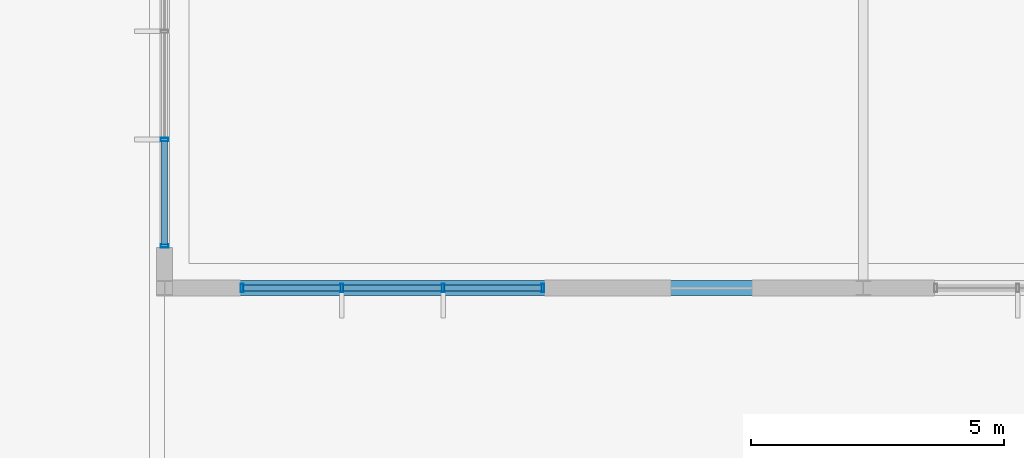
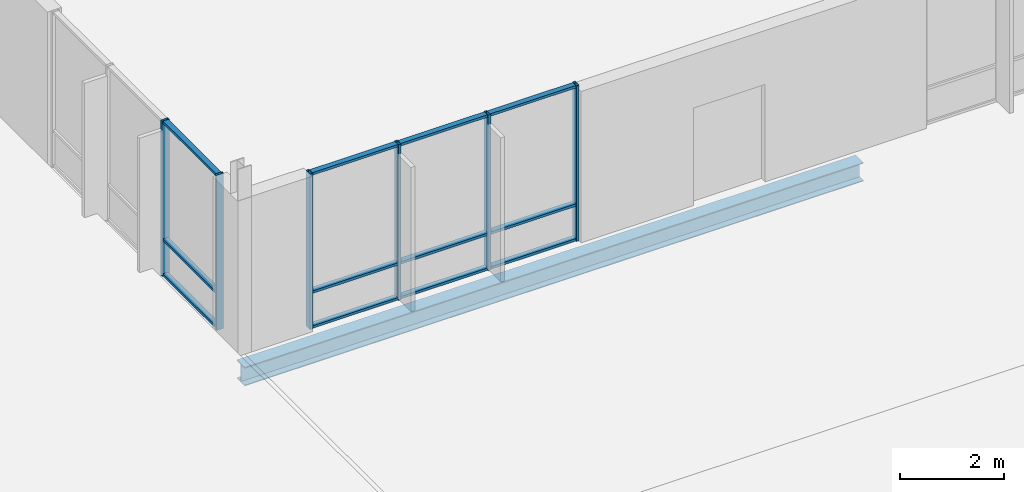
# One storey, part 149 of 233: 18 members, 1 beam, 2 elements without a shape of their own.
"""IFC4 building model written with IfcOpenShell, lengths in metres."""

from ifc_helpers import new_model, si_unit, direction, frame, origin, origin_2d, place, context, subcontext, project, spatial, hollow_rectangle, i_section, extrude, material, material_profile, profile_set, type_object, element, aggregate, save


model = new_model("IFC4")

# Units and contexts
model_context = context("Model", 3, precision=1e-05, world=origin(), true_north=direction((0.0, 1.0)))
body_context = subcontext(model_context, "Body", "Model", "MODEL_VIEW")
ifc_project = project(units=[si_unit("LENGTHUNIT", "METRE"), si_unit("AREAUNIT", "SQUARE_METRE"), si_unit("VOLUMEUNIT", "CUBIC_METRE"), si_unit("PLANEANGLEUNIT", "RADIAN"), si_unit("MASSUNIT", "GRAM", prefix="KILO")], contexts=[model_context])

# Site, building, storey
site_placement = place(None, origin())
site = spatial("IfcSite", under=ifc_project, at=site_placement, CompositionType="ELEMENT")
building_placement = place(site_placement, origin())
building = spatial("IfcBuilding", under=site, at=building_placement, Name="Zavelmont Quarter", CompositionType="ELEMENT")
storey_placement = place(building_placement, origin())
storey = spatial("IfcBuildingStorey", under=building, at=storey_placement, Name="L00", CompositionType="ELEMENT", Elevation=0.0)

# Beam
ifc_material_1 = material(Name="Steel S355", Category="steel")
ifc_material_profile_1 = material_profile(ifc_material_1, i_section(OverallWidth=0.300048828125, OverallDepth=0.43994140625, WebThickness=0.011474609375, FlangeThickness=0.02099609375, at=origin_2d()), Name="HEA 450")
ifc_profile_set_1 = profile_set([ifc_material_profile_1], Name="Steel S355")
beam_type = type_object("IfcBeamType", Name="BM10", PredefinedType="BEAM", material=ifc_profile_set_1)
beam_placement = place(storey_placement, frame((133.5, 38.0, -0.5400390625), z_axis=(1.0, 0.0, 0.0), x_axis=(0.0, 1.0, 0.0)))
element("IfcBeam", 1, at=beam_placement, inside=storey, type_object=beam_type, Name="L00 beam BM10 20/G to 22/G", PredefinedType="BEAM", context=body_context, shape_type="SweptSolid", body=[
    extrude(i_section(OverallWidth=0.300048828125, OverallDepth=0.43994140625, WebThickness=0.011474609375, FlangeThickness=0.02099609375, at=origin_2d()), origin(), (0.0, 0.0, 1.0), 13.800048828125),
])

# Curtain wall, members
ifc_material_2 = material(Name="Thermally broken aluminium and double low-E safety glazing", Category="aluminium")
curtain_wall_type_1 = type_object("IfcCurtainWallType", Name="CW-640X366", PredefinedType="NOTDEFINED", material=ifc_material_2)
curtain_wall_1_placement = place(storey_placement, origin())
curtain_wall_1 = element("IfcCurtainWall", 2, at=curtain_wall_1_placement, inside=storey, type_object=curtain_wall_type_1, Name="L00 unitised curtain wall CW-640X366", PredefinedType="NOTDEFINED")
ifc_material_3 = material(Name="Powder-coated aluminium EN AW-6063-T6", Category="aluminium")
ifc_material_profile_2 = material_profile(ifc_material_3, hollow_rectangle(XDim=0.06005859375, YDim=0.159912109375, WallThickness=0.00390625, at=origin_2d()), Name="CWM60X160")
ifc_profile_set_2 = profile_set([ifc_material_profile_2], Name="Powder-coated aluminium EN AW-6063-T6")
member_type_1 = type_object("IfcMemberType", Name="CWM01", PredefinedType="MULLION", material=ifc_profile_set_2)
member_1_placement = place(storey_placement, frame((133.5, 38.830078125, 0.0), z_axis=(0.0, 0.0, 1.0), x_axis=(0.0, 1.0, 0.0)))
member_1 = element("IfcMember", 3, at=member_1_placement, type_object=member_type_1, Name="CW-640X366 mullion 1", PredefinedType="MULLION", context=body_context, shape_type="SweptSolid", body=[
    extrude(hollow_rectangle(XDim=0.06005859375, YDim=0.159912109375, WallThickness=0.00390625, at=origin_2d()), origin(), (0.0, 0.0, 1.0), 3.659912109375),
])
member_2_placement = place(storey_placement, frame((133.5, 40.933349609375, 0.0), z_axis=(0.0, 0.0, 1.0), x_axis=(0.0, 1.0, 0.0)))
member_2 = element("IfcMember", 4, at=member_2_placement, type_object=member_type_1, Name="CW-640X366 mullion 2", PredefinedType="MULLION", context=body_context, shape_type="SweptSolid", body=[
    extrude(hollow_rectangle(XDim=0.06005859375, YDim=0.159912109375, WallThickness=0.00390625, at=origin_2d()), origin(), (0.0, 0.0, 1.0), 3.659912109375),
])

curtain_wall_type_2 = type_object("IfcCurtainWallType", Name="CW-600X367", PredefinedType="NOTDEFINED", material=ifc_material_2)
curtain_wall_2_placement = place(storey_placement, origin())
curtain_wall_2 = element("IfcCurtainWall", 5, at=curtain_wall_2_placement, inside=storey, type_object=curtain_wall_type_2, Name="L00 unitised curtain wall CW-600X367", PredefinedType="NOTDEFINED")
member_3_placement = place(storey_placement, frame((135.030029296875, 38.0, 0.0), z_axis=(0.0, 0.0, 1.0), x_axis=(1.0, 0.0, 0.0)))
member_3 = element("IfcMember", 6, at=member_3_placement, type_object=member_type_1, Name="CW-600X367 mullion 1", PredefinedType="MULLION", context=body_context, shape_type="SweptSolid", body=[
    extrude(hollow_rectangle(XDim=0.06005859375, YDim=0.159912109375, WallThickness=0.00390625, at=origin_2d()), origin(), (0.0, 0.0, 1.0), 3.669921875),
])
member_4_placement = place(storey_placement, frame((137.0, 38.0, 0.0), z_axis=(0.0, 0.0, 1.0), x_axis=(1.0, 0.0, 0.0)))
member_4 = element("IfcMember", 7, at=member_4_placement, type_object=member_type_1, Name="CW-600X367 mullion 2", PredefinedType="MULLION", context=body_context, shape_type="SweptSolid", body=[
    extrude(hollow_rectangle(XDim=0.06005859375, YDim=0.159912109375, WallThickness=0.00390625, at=origin_2d()), origin(), (0.0, 0.0, 1.0), 3.669921875),
])
member_5_placement = place(storey_placement, frame((139.0, 38.0, 0.0), z_axis=(0.0, 0.0, 1.0), x_axis=(1.0, 0.0, 0.0)))
member_5 = element("IfcMember", 8, at=member_5_placement, type_object=member_type_1, Name="CW-600X367 mullion 3", PredefinedType="MULLION", context=body_context, shape_type="SweptSolid", body=[
    extrude(hollow_rectangle(XDim=0.06005859375, YDim=0.159912109375, WallThickness=0.00390625, at=origin_2d()), origin(), (0.0, 0.0, 1.0), 3.669921875),
])
member_6_placement = place(storey_placement, frame((140.969970703125, 38.0, 0.0), z_axis=(0.0, 0.0, 1.0), x_axis=(1.0, 0.0, 0.0)))
member_6 = element("IfcMember", 9, at=member_6_placement, type_object=member_type_1, Name="CW-600X367 mullion 4", PredefinedType="MULLION", context=body_context, shape_type="SweptSolid", body=[
    extrude(hollow_rectangle(XDim=0.06005859375, YDim=0.159912109375, WallThickness=0.00390625, at=origin_2d()), origin(), (0.0, 0.0, 1.0), 3.669921875),
])

# Member
ifc_material_profile_3 = material_profile(ifc_material_3, hollow_rectangle(XDim=0.1201171875, YDim=0.06005859375, WallThickness=0.00390625, at=origin_2d()), Name="CWT60X120")
ifc_profile_set_3 = profile_set([ifc_material_profile_3], Name="Powder-coated aluminium EN AW-6063-T6")
member_type_2 = type_object("IfcMemberType", Name="CWT01", PredefinedType="NOTDEFINED", material=ifc_profile_set_3)
member_7_placement = place(storey_placement, frame((133.5, 38.860107421875, 0.030029296875), z_axis=(0.0, 1.0, 0.0), x_axis=(-1.0, 0.0, 0.0)))
member_7 = element("IfcMember", 10, at=member_7_placement, type_object=member_type_2, Name="CW-640X366 transom 1.1", ObjectType="TRANSOM", PredefinedType="USERDEFINED", context=body_context, shape_type="SweptSolid", body=[
    extrude(hollow_rectangle(XDim=0.1201171875, YDim=0.06005859375, WallThickness=0.00390625, at=origin_2d()), origin(), (0.0, 0.0, 1.0), 2.043212890625),
])

member_8_placement = place(storey_placement, frame((133.5, 38.860107421875, 0.85009765625), z_axis=(0.0, 1.0, 0.0), x_axis=(-1.0, 0.0, 0.0)))
member_8 = element("IfcMember", 11, at=member_8_placement, type_object=member_type_2, Name="CW-640X366 transom 1.2", ObjectType="TRANSOM", PredefinedType="USERDEFINED", context=body_context, shape_type="SweptSolid", body=[
    extrude(hollow_rectangle(XDim=0.1201171875, YDim=0.06005859375, WallThickness=0.00390625, at=origin_2d()), origin(), (0.0, 0.0, 1.0), 2.043212890625),
])

member_9_placement = place(storey_placement, frame((133.5, 38.860107421875, 3.6298828125), z_axis=(0.0, 1.0, 0.0), x_axis=(-1.0, 0.0, 0.0)))
member_9 = element("IfcMember", 12, at=member_9_placement, type_object=member_type_2, Name="CW-640X366 transom 1.3", ObjectType="TRANSOM", PredefinedType="USERDEFINED", context=body_context, shape_type="SweptSolid", body=[
    extrude(hollow_rectangle(XDim=0.1201171875, YDim=0.06005859375, WallThickness=0.00390625, at=origin_2d()), origin(), (0.0, 0.0, 1.0), 2.043212890625),
])

aggregate(curtain_wall_1, [member_1, member_2, member_7, member_8, member_9])

member_10_placement = place(storey_placement, frame((135.06005859375, 38.0, 0.030029296875), z_axis=(1.0, 0.0, 0.0), x_axis=(0.0, 1.0, 0.0)))
member_10 = element("IfcMember", 13, at=member_10_placement, type_object=member_type_2, Name="CW-600X367 transom 1.1", ObjectType="TRANSOM", PredefinedType="USERDEFINED", context=body_context, shape_type="SweptSolid", body=[
    extrude(hollow_rectangle(XDim=0.1201171875, YDim=0.06005859375, WallThickness=0.00390625, at=origin_2d()), origin(), (0.0, 0.0, 1.0), 1.909912109375),
])

member_11_placement = place(storey_placement, frame((135.06005859375, 38.0, 0.85009765625), z_axis=(1.0, 0.0, 0.0), x_axis=(0.0, 1.0, 0.0)))
member_11 = element("IfcMember", 14, at=member_11_placement, type_object=member_type_2, Name="CW-600X367 transom 1.2", ObjectType="TRANSOM", PredefinedType="USERDEFINED", context=body_context, shape_type="SweptSolid", body=[
    extrude(hollow_rectangle(XDim=0.1201171875, YDim=0.06005859375, WallThickness=0.00390625, at=origin_2d()), origin(), (0.0, 0.0, 1.0), 1.909912109375),
])

member_12_placement = place(storey_placement, frame((135.06005859375, 38.0, 3.639892578125), z_axis=(1.0, 0.0, 0.0), x_axis=(0.0, 1.0, 0.0)))
member_12 = element("IfcMember", 15, at=member_12_placement, type_object=member_type_2, Name="CW-600X367 transom 1.3", ObjectType="TRANSOM", PredefinedType="USERDEFINED", context=body_context, shape_type="SweptSolid", body=[
    extrude(hollow_rectangle(XDim=0.1201171875, YDim=0.06005859375, WallThickness=0.00390625, at=origin_2d()), origin(), (0.0, 0.0, 1.0), 1.909912109375),
])

member_13_placement = place(storey_placement, frame((137.030029296875, 38.0, 0.030029296875), z_axis=(1.0, 0.0, 0.0), x_axis=(0.0, 1.0, 0.0)))
member_13 = element("IfcMember", 16, at=member_13_placement, type_object=member_type_2, Name="CW-600X367 transom 2.1", ObjectType="TRANSOM", PredefinedType="USERDEFINED", context=body_context, shape_type="SweptSolid", body=[
    extrude(hollow_rectangle(XDim=0.1201171875, YDim=0.06005859375, WallThickness=0.00390625, at=origin_2d()), origin(), (0.0, 0.0, 1.0), 1.93994140625),
])

member_14_placement = place(storey_placement, frame((137.030029296875, 38.0, 0.85009765625), z_axis=(1.0, 0.0, 0.0), x_axis=(0.0, 1.0, 0.0)))
member_14 = element("IfcMember", 17, at=member_14_placement, type_object=member_type_2, Name="CW-600X367 transom 2.2", ObjectType="TRANSOM", PredefinedType="USERDEFINED", context=body_context, shape_type="SweptSolid", body=[
    extrude(hollow_rectangle(XDim=0.1201171875, YDim=0.06005859375, WallThickness=0.00390625, at=origin_2d()), origin(), (0.0, 0.0, 1.0), 1.93994140625),
])

member_15_placement = place(storey_placement, frame((137.030029296875, 38.0, 3.639892578125), z_axis=(1.0, 0.0, 0.0), x_axis=(0.0, 1.0, 0.0)))
member_15 = element("IfcMember", 18, at=member_15_placement, type_object=member_type_2, Name="CW-600X367 transom 2.3", ObjectType="TRANSOM", PredefinedType="USERDEFINED", context=body_context, shape_type="SweptSolid", body=[
    extrude(hollow_rectangle(XDim=0.1201171875, YDim=0.06005859375, WallThickness=0.00390625, at=origin_2d()), origin(), (0.0, 0.0, 1.0), 1.93994140625),
])

member_16_placement = place(storey_placement, frame((139.030029296875, 38.0, 0.030029296875), z_axis=(1.0, 0.0, 0.0), x_axis=(0.0, 1.0, 0.0)))
member_16 = element("IfcMember", 19, at=member_16_placement, type_object=member_type_2, Name="CW-600X367 transom 3.1", ObjectType="TRANSOM", PredefinedType="USERDEFINED", context=body_context, shape_type="SweptSolid", body=[
    extrude(hollow_rectangle(XDim=0.1201171875, YDim=0.06005859375, WallThickness=0.00390625, at=origin_2d()), origin(), (0.0, 0.0, 1.0), 1.909912109375),
])

member_17_placement = place(storey_placement, frame((139.030029296875, 38.0, 0.85009765625), z_axis=(1.0, 0.0, 0.0), x_axis=(0.0, 1.0, 0.0)))
member_17 = element("IfcMember", 20, at=member_17_placement, type_object=member_type_2, Name="CW-600X367 transom 3.2", ObjectType="TRANSOM", PredefinedType="USERDEFINED", context=body_context, shape_type="SweptSolid", body=[
    extrude(hollow_rectangle(XDim=0.1201171875, YDim=0.06005859375, WallThickness=0.00390625, at=origin_2d()), origin(), (0.0, 0.0, 1.0), 1.909912109375),
])

member_18_placement = place(storey_placement, frame((139.030029296875, 38.0, 3.639892578125), z_axis=(1.0, 0.0, 0.0), x_axis=(0.0, 1.0, 0.0)))
member_18 = element("IfcMember", 21, at=member_18_placement, type_object=member_type_2, Name="CW-600X367 transom 3.3", ObjectType="TRANSOM", PredefinedType="USERDEFINED", context=body_context, shape_type="SweptSolid", body=[
    extrude(hollow_rectangle(XDim=0.1201171875, YDim=0.06005859375, WallThickness=0.00390625, at=origin_2d()), origin(), (0.0, 0.0, 1.0), 1.909912109375),
])

aggregate(curtain_wall_2, [member_3, member_4, member_5, member_6, member_10, member_11, member_12, member_13, member_14, member_15, member_16, member_17, member_18])

save(model, "model.ifc")
